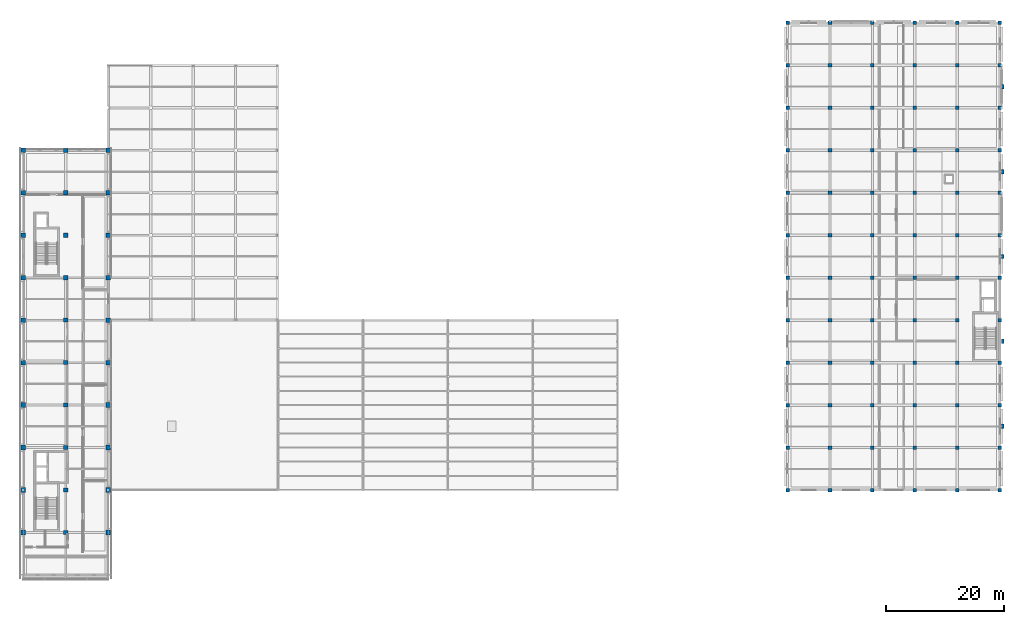
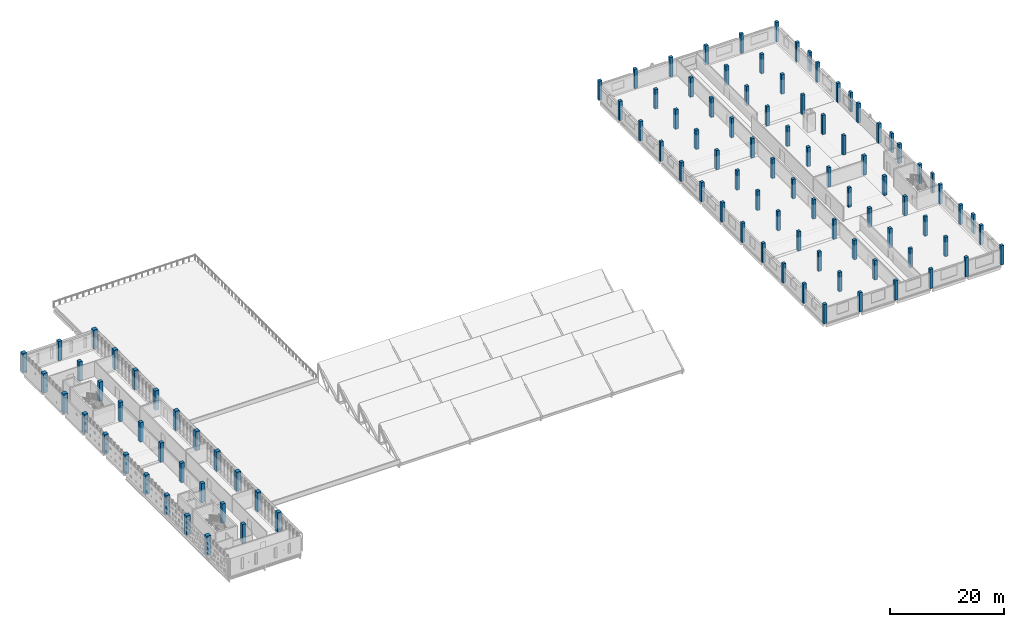
# One storey, part 1 of 51: 107 columns.
"""IFC4 building model written with IfcOpenShell, lengths in metres."""

from ifc_helpers import new_model, si_unit, direction, frame, origin, origin_2d, place, context, subcontext, project, spatial, rectangle, extrude, material, material_profile, profile_set, type_object, element, save


model = new_model("IFC4")

# Units and contexts
model_context = context("Model", 3, precision=1e-05, world=origin(), true_north=direction((0.0, 1.0)))
body_context = subcontext(model_context, "Body", "Model", "MODEL_VIEW")
ifc_project = project(units=[si_unit("LENGTHUNIT", "METRE"), si_unit("AREAUNIT", "SQUARE_METRE"), si_unit("VOLUMEUNIT", "CUBIC_METRE"), si_unit("PLANEANGLEUNIT", "RADIAN"), si_unit("MASSUNIT", "GRAM", prefix="KILO")], contexts=[model_context])

# Site, building, storey
site_placement = place(None, origin())
site = spatial("IfcSite", under=ifc_project, at=site_placement, CompositionType="ELEMENT")
building_placement = place(site_placement, origin())
building = spatial("IfcBuilding", under=site, at=building_placement, Name="Valkovuoma Quantum and Materials Research Institute", CompositionType="ELEMENT")
storey_placement = place(building_placement, frame((0.0, 0.0, 17.280029296875)))
storey = spatial("IfcBuildingStorey", under=building, at=storey_placement, Name="L04", CompositionType="ELEMENT", Elevation=17.280029296875)

# Columns
ifc_material_1 = material(Name="Concrete C40/50", Category="concrete")
ifc_material_profile_1 = material_profile(ifc_material_1, rectangle(XDim=0.449951171875, YDim=0.75, at=origin_2d()), Name="Concrete C40/50")
ifc_profile_set_1 = profile_set([ifc_material_profile_1], Name="Concrete C40/50")
column_type_1 = type_object("IfcColumnType", Name="Col-C-PIL750", PredefinedType="PILASTER", material=ifc_profile_set_1)
for number, where, z_axis, x_axis, name in (
    (1, (166.080078125, 46.800048828125, 0.0), (0.0, 0.0, 1.0), (1.0, 0.0, 0.0), "L04 service spine pilaster 01"),
    (2, (166.080078125, 61.199951171875, 0.0), (0.0, 0.0, 1.0), (1.0, 0.0, 0.0), "L04 service spine pilaster 02"),
    (3, (166.080078125, 75.60009765625, 0.0), (0.0, 0.0, 1.0), (1.0, 0.0, 0.0), "L04 service spine pilaster 03"),
    (4, (166.080078125, 90.0, 0.0), (0.0, 0.0, 1.0), (1.0, 0.0, 0.0), "L04 service spine pilaster 04"),
    (5, (166.080078125, 104.39990234375, 0.0), (0.0, 0.0, 1.0), (1.0, 0.0, 0.0), "L04 service spine pilaster 05"),
):
    element("IfcColumn", number, at=place(storey_placement, frame(where, z_axis=z_axis, x_axis=x_axis)), inside=storey, type_object=column_type_1, Name=name, PredefinedType="PILASTER", context=body_context, shape_type="SweptSolid", body=[
        extrude(rectangle(XDim=0.449951171875, YDim=0.75, at=origin_2d()), origin(), (0.0, 0.0, 1.0), 4.159912109375),
    ])
ifc_material_2 = material(Name="Concrete C40/50", Category="concrete")
ifc_material_profile_2 = material_profile(ifc_material_2, rectangle(XDim=0.60009765625, YDim=0.60009765625, at=origin_2d()), Name="Concrete C40/50")
ifc_profile_set_2 = profile_set([ifc_material_profile_2], Name="Concrete C40/50")
column_type_2 = type_object("IfcColumnType", Name="Col-C-RC600", PredefinedType="COLUMN", material=ifc_profile_set_2)
for number, where, z_axis, x_axis, name in (
    (6, (129.60009765625, 36.0, 0.0), (0.0, 0.0, 1.0), (1.0, 0.0, 0.0), "L04 column 19F"),
    (7, (129.60009765625, 43.199951171875, 0.0), (0.0, 0.0, 1.0), (1.0, 0.0, 0.0), "L04 column 19G"),
    (8, (129.60009765625, 50.39990234375, 0.0), (0.0, 0.0, 1.0), (1.0, 0.0, 0.0), "L04 column 19H"),
    (9, (129.60009765625, 57.60009765625, 0.0), (0.0, 0.0, 1.0), (1.0, 0.0, 0.0), "L04 column 19J"),
    (10, (129.60009765625, 64.800048828125, 0.0), (0.0, 0.0, 1.0), (1.0, 0.0, 0.0), "L04 column 19K"),
    (11, (129.60009765625, 72.0, 0.0), (0.0, 0.0, 1.0), (1.0, 0.0, 0.0), "L04 column 19L"),
    (12, (129.60009765625, 79.199951171875, 0.0), (0.0, 0.0, 1.0), (1.0, 0.0, 0.0), "L04 column 19M"),
    (13, (129.60009765625, 86.39990234375, 0.0), (0.0, 0.0, 1.0), (1.0, 0.0, 0.0), "L04 column 19N"),
    (14, (129.60009765625, 93.60009765625, 0.0), (0.0, 0.0, 1.0), (1.0, 0.0, 0.0), "L04 column 19P"),
    (15, (129.60009765625, 100.800048828125, 0.0), (0.0, 0.0, 1.0), (1.0, 0.0, 0.0), "L04 column 19Q"),
    (16, (129.60009765625, 108.0, 0.0), (0.0, 0.0, 1.0), (1.0, 0.0, 0.0), "L04 column 19R"),
    (17, (129.60009765625, 115.199951171875, 0.0), (0.0, 0.0, 1.0), (1.0, 0.0, 0.0), "L04 column 19S"),
    (18, (136.800048828125, 36.0, 0.0), (0.0, 0.0, 1.0), (1.0, 0.0, 0.0), "L04 column 20F"),
    (19, (136.800048828125, 43.199951171875, 0.0), (0.0, 0.0, 1.0), (1.0, 0.0, 0.0), "L04 column 20G"),
    (20, (136.800048828125, 50.39990234375, 0.0), (0.0, 0.0, 1.0), (1.0, 0.0, 0.0), "L04 column 20H"),
    (21, (136.800048828125, 57.60009765625, 0.0), (0.0, 0.0, 1.0), (1.0, 0.0, 0.0), "L04 column 20J"),
    (22, (136.800048828125, 64.800048828125, 0.0), (0.0, 0.0, 1.0), (1.0, 0.0, 0.0), "L04 column 20K"),
    (23, (136.800048828125, 72.0, 0.0), (0.0, 0.0, 1.0), (1.0, 0.0, 0.0), "L04 column 20L"),
    (24, (136.800048828125, 79.199951171875, 0.0), (0.0, 0.0, 1.0), (1.0, 0.0, 0.0), "L04 column 20M"),
    (25, (136.800048828125, 86.39990234375, 0.0), (0.0, 0.0, 1.0), (1.0, 0.0, 0.0), "L04 column 20N"),
    (26, (136.800048828125, 93.60009765625, 0.0), (0.0, 0.0, 1.0), (1.0, 0.0, 0.0), "L04 column 20P"),
    (27, (136.800048828125, 100.800048828125, 0.0), (0.0, 0.0, 1.0), (1.0, 0.0, 0.0), "L04 column 20Q"),
    (28, (136.800048828125, 108.0, 0.0), (0.0, 0.0, 1.0), (1.0, 0.0, 0.0), "L04 column 20R"),
    (29, (136.800048828125, 115.199951171875, 0.0), (0.0, 0.0, 1.0), (1.0, 0.0, 0.0), "L04 column 20S"),
    (30, (144.0, 36.0, 0.0), (0.0, 0.0, 1.0), (1.0, 0.0, 0.0), "L04 column 21F"),
    (31, (144.0, 43.199951171875, 0.0), (0.0, 0.0, 1.0), (1.0, 0.0, 0.0), "L04 column 21G"),
    (32, (144.0, 50.39990234375, 0.0), (0.0, 0.0, 1.0), (1.0, 0.0, 0.0), "L04 column 21H"),
    (33, (144.0, 57.60009765625, 0.0), (0.0, 0.0, 1.0), (1.0, 0.0, 0.0), "L04 column 21J"),
    (34, (144.0, 64.800048828125, 0.0), (0.0, 0.0, 1.0), (1.0, 0.0, 0.0), "L04 column 21K"),
    (35, (144.0, 72.0, 0.0), (0.0, 0.0, 1.0), (1.0, 0.0, 0.0), "L04 column 21L"),
    (36, (144.0, 79.199951171875, 0.0), (0.0, 0.0, 1.0), (1.0, 0.0, 0.0), "L04 column 21M"),
    (37, (144.0, 86.39990234375, 0.0), (0.0, 0.0, 1.0), (1.0, 0.0, 0.0), "L04 column 21N"),
    (38, (144.0, 93.60009765625, 0.0), (0.0, 0.0, 1.0), (1.0, 0.0, 0.0), "L04 column 21P"),
    (39, (144.0, 100.800048828125, 0.0), (0.0, 0.0, 1.0), (1.0, 0.0, 0.0), "L04 column 21Q"),
    (40, (144.0, 108.0, 0.0), (0.0, 0.0, 1.0), (1.0, 0.0, 0.0), "L04 column 21R"),
    (41, (144.0, 115.199951171875, 0.0), (0.0, 0.0, 1.0), (1.0, 0.0, 0.0), "L04 column 21S"),
    (42, (151.199951171875, 36.0, 0.0), (0.0, 0.0, 1.0), (1.0, 0.0, 0.0), "L04 column 22F"),
    (43, (151.199951171875, 43.199951171875, 0.0), (0.0, 0.0, 1.0), (1.0, 0.0, 0.0), "L04 column 22G"),
    (44, (151.199951171875, 50.39990234375, 0.0), (0.0, 0.0, 1.0), (1.0, 0.0, 0.0), "L04 column 22H"),
    (45, (151.199951171875, 57.60009765625, 0.0), (0.0, 0.0, 1.0), (1.0, 0.0, 0.0), "L04 column 22J"),
    (46, (151.199951171875, 64.800048828125, 0.0), (0.0, 0.0, 1.0), (1.0, 0.0, 0.0), "L04 column 22K"),
    (47, (151.199951171875, 72.0, 0.0), (0.0, 0.0, 1.0), (1.0, 0.0, 0.0), "L04 column 22L"),
    (48, (151.199951171875, 79.199951171875, 0.0), (0.0, 0.0, 1.0), (1.0, 0.0, 0.0), "L04 column 22M"),
    (49, (151.199951171875, 86.39990234375, 0.0), (0.0, 0.0, 1.0), (1.0, 0.0, 0.0), "L04 column 22N"),
    (50, (151.199951171875, 93.60009765625, 0.0), (0.0, 0.0, 1.0), (1.0, 0.0, 0.0), "L04 column 22P"),
    (51, (151.199951171875, 100.800048828125, 0.0), (0.0, 0.0, 1.0), (1.0, 0.0, 0.0), "L04 column 22Q"),
    (52, (151.199951171875, 108.0, 0.0), (0.0, 0.0, 1.0), (1.0, 0.0, 0.0), "L04 column 22R"),
    (53, (151.199951171875, 115.199951171875, 0.0), (0.0, 0.0, 1.0), (1.0, 0.0, 0.0), "L04 column 22S"),
    (54, (158.39990234375, 36.0, 0.0), (0.0, 0.0, 1.0), (1.0, 0.0, 0.0), "L04 column 23F"),
    (55, (158.39990234375, 43.199951171875, 0.0), (0.0, 0.0, 1.0), (1.0, 0.0, 0.0), "L04 column 23G"),
    (56, (158.39990234375, 50.39990234375, 0.0), (0.0, 0.0, 1.0), (1.0, 0.0, 0.0), "L04 column 23H"),
    (57, (158.39990234375, 57.60009765625, 0.0), (0.0, 0.0, 1.0), (1.0, 0.0, 0.0), "L04 column 23J"),
    (58, (158.39990234375, 64.800048828125, 0.0), (0.0, 0.0, 1.0), (1.0, 0.0, 0.0), "L04 column 23K"),
    (59, (158.39990234375, 72.0, 0.0), (0.0, 0.0, 1.0), (1.0, 0.0, 0.0), "L04 column 23L"),
    (60, (158.39990234375, 79.199951171875, 0.0), (0.0, 0.0, 1.0), (1.0, 0.0, 0.0), "L04 column 23M"),
    (61, (158.39990234375, 86.39990234375, 0.0), (0.0, 0.0, 1.0), (1.0, 0.0, 0.0), "L04 column 23N"),
    (62, (158.39990234375, 93.60009765625, 0.0), (0.0, 0.0, 1.0), (1.0, 0.0, 0.0), "L04 column 23P"),
    (63, (158.39990234375, 100.800048828125, 0.0), (0.0, 0.0, 1.0), (1.0, 0.0, 0.0), "L04 column 23Q"),
    (64, (158.39990234375, 108.0, 0.0), (0.0, 0.0, 1.0), (1.0, 0.0, 0.0), "L04 column 23R"),
    (65, (158.39990234375, 115.199951171875, 0.0), (0.0, 0.0, 1.0), (1.0, 0.0, 0.0), "L04 column 23S"),
    (66, (165.60009765625, 36.0, 0.0), (0.0, 0.0, 1.0), (1.0, 0.0, 0.0), "L04 column 24F"),
    (67, (165.60009765625, 43.199951171875, 0.0), (0.0, 0.0, 1.0), (1.0, 0.0, 0.0), "L04 column 24G"),
    (68, (165.60009765625, 50.39990234375, 0.0), (0.0, 0.0, 1.0), (1.0, 0.0, 0.0), "L04 column 24H"),
    (69, (165.60009765625, 57.60009765625, 0.0), (0.0, 0.0, 1.0), (1.0, 0.0, 0.0), "L04 column 24J"),
    (70, (165.60009765625, 64.800048828125, 0.0), (0.0, 0.0, 1.0), (1.0, 0.0, 0.0), "L04 column 24K"),
    (71, (165.60009765625, 72.0, 0.0), (0.0, 0.0, 1.0), (1.0, 0.0, 0.0), "L04 column 24L"),
    (72, (165.60009765625, 79.199951171875, 0.0), (0.0, 0.0, 1.0), (1.0, 0.0, 0.0), "L04 column 24M"),
    (73, (165.60009765625, 86.39990234375, 0.0), (0.0, 0.0, 1.0), (1.0, 0.0, 0.0), "L04 column 24N"),
    (74, (165.60009765625, 93.60009765625, 0.0), (0.0, 0.0, 1.0), (1.0, 0.0, 0.0), "L04 column 24P"),
    (75, (165.60009765625, 100.800048828125, 0.0), (0.0, 0.0, 1.0), (1.0, 0.0, 0.0), "L04 column 24Q"),
    (76, (165.60009765625, 108.0, 0.0), (0.0, 0.0, 1.0), (1.0, 0.0, 0.0), "L04 column 24R"),
    (77, (165.60009765625, 115.199951171875, 0.0), (0.0, 0.0, 1.0), (1.0, 0.0, 0.0), "L04 column 24S"),
):
    element("IfcColumn", number, at=place(storey_placement, frame(where, z_axis=z_axis, x_axis=x_axis)), inside=storey, type_object=column_type_2, Name=name, PredefinedType="COLUMN", context=body_context, shape_type="SweptSolid", body=[
        extrude(rectangle(XDim=0.60009765625, YDim=0.60009765625, at=origin_2d()), origin(), (0.0, 0.0, 1.0), 4.159912109375),
    ])
ifc_material_3 = material(Name="Concrete C40/50", Category="concrete")
ifc_material_profile_3 = material_profile(ifc_material_3, rectangle(XDim=0.699951171875, YDim=0.699951171875, at=origin_2d()), Name="Concrete C40/50")
ifc_profile_set_3 = profile_set([ifc_material_profile_3], Name="Concrete C40/50")
column_type_3 = type_object("IfcColumnType", Name="Col-C-RC700", PredefinedType="COLUMN", material=ifc_profile_set_3)
for number, where, z_axis, x_axis, name in (
    (78, (7.199951171875, 28.800048828125, 0.0), (0.0, 0.0, 1.0), (1.0, 0.0, 0.0), "L04 column 02E"),
    (79, (7.199951171875, 36.0, 0.0), (0.0, 0.0, 1.0), (1.0, 0.0, 0.0), "L04 column 02F"),
    (80, (7.199951171875, 43.199951171875, 0.0), (0.0, 0.0, 1.0), (1.0, 0.0, 0.0), "L04 column 02G"),
    (81, (7.199951171875, 50.39990234375, 0.0), (0.0, 0.0, 1.0), (1.0, 0.0, 0.0), "L04 column 02H"),
    (82, (7.199951171875, 57.60009765625, 0.0), (0.0, 0.0, 1.0), (1.0, 0.0, 0.0), "L04 column 02J"),
    (83, (7.199951171875, 64.800048828125, 0.0), (0.0, 0.0, 1.0), (1.0, 0.0, 0.0), "L04 column 02K"),
    (84, (7.199951171875, 72.0, 0.0), (0.0, 0.0, 1.0), (1.0, 0.0, 0.0), "L04 column 02L"),
    (85, (7.199951171875, 79.199951171875, 0.0), (0.0, 0.0, 1.0), (1.0, 0.0, 0.0), "L04 column 02M"),
    (86, (7.199951171875, 86.39990234375, 0.0), (0.0, 0.0, 1.0), (1.0, 0.0, 0.0), "L04 column 02N"),
    (87, (7.199951171875, 93.60009765625, 0.0), (0.0, 0.0, 1.0), (1.0, 0.0, 0.0), "L04 column 02P"),
):
    element("IfcColumn", number, at=place(storey_placement, frame(where, z_axis=z_axis, x_axis=x_axis)), inside=storey, type_object=column_type_3, Name=name, PredefinedType="COLUMN", context=body_context, shape_type="SweptSolid", body=[
        extrude(rectangle(XDim=0.699951171875, YDim=0.699951171875, at=origin_2d()), origin(), (0.0, 0.0, 1.0), 4.159912109375),
    ])
ifc_material_4 = material(Name="Concrete C50/60", Category="concrete")
ifc_material_profile_4 = material_profile(ifc_material_4, rectangle(XDim=0.800048828125, YDim=0.800048828125, at=origin_2d()), Name="Concrete C50/60")
ifc_profile_set_4 = profile_set([ifc_material_profile_4], Name="Concrete C50/60")
column_type_4 = type_object("IfcColumnType", Name="Col-C-RC800", PredefinedType="COLUMN", material=ifc_profile_set_4)
for number, where, z_axis, x_axis, name in (
    (88, (0.0, 28.800048828125, 0.0), (0.0, 0.0, 1.0), (1.0, 0.0, 0.0), "L04 column 01E"),
    (89, (0.0, 36.0, 0.0), (0.0, 0.0, 1.0), (1.0, 0.0, 0.0), "L04 column 01F"),
    (90, (0.0, 43.199951171875, 0.0), (0.0, 0.0, 1.0), (1.0, 0.0, 0.0), "L04 column 01G"),
    (91, (0.0, 50.39990234375, 0.0), (0.0, 0.0, 1.0), (1.0, 0.0, 0.0), "L04 column 01H"),
    (92, (0.0, 57.60009765625, 0.0), (0.0, 0.0, 1.0), (1.0, 0.0, 0.0), "L04 column 01J"),
    (93, (0.0, 64.800048828125, 0.0), (0.0, 0.0, 1.0), (1.0, 0.0, 0.0), "L04 column 01K"),
    (94, (0.0, 72.0, 0.0), (0.0, 0.0, 1.0), (1.0, 0.0, 0.0), "L04 column 01L"),
    (95, (0.0, 79.199951171875, 0.0), (0.0, 0.0, 1.0), (1.0, 0.0, 0.0), "L04 column 01M"),
    (96, (0.0, 86.39990234375, 0.0), (0.0, 0.0, 1.0), (1.0, 0.0, 0.0), "L04 column 01N"),
    (97, (0.0, 93.60009765625, 0.0), (0.0, 0.0, 1.0), (1.0, 0.0, 0.0), "L04 column 01P"),
    (98, (14.39990234375, 28.800048828125, 0.0), (0.0, 0.0, 1.0), (1.0, 0.0, 0.0), "L04 column 03E"),
    (99, (14.39990234375, 36.0, 0.0), (0.0, 0.0, 1.0), (1.0, 0.0, 0.0), "L04 column 03F"),
    (100, (14.39990234375, 43.199951171875, 0.0), (0.0, 0.0, 1.0), (1.0, 0.0, 0.0), "L04 column 03G"),
    (101, (14.39990234375, 50.39990234375, 0.0), (0.0, 0.0, 1.0), (1.0, 0.0, 0.0), "L04 column 03H"),
    (102, (14.39990234375, 57.60009765625, 0.0), (0.0, 0.0, 1.0), (1.0, 0.0, 0.0), "L04 column 03J"),
    (103, (14.39990234375, 64.800048828125, 0.0), (0.0, 0.0, 1.0), (1.0, 0.0, 0.0), "L04 column 03K"),
    (104, (14.39990234375, 72.0, 0.0), (0.0, 0.0, 1.0), (1.0, 0.0, 0.0), "L04 column 03L"),
    (105, (14.39990234375, 79.199951171875, 0.0), (0.0, 0.0, 1.0), (1.0, 0.0, 0.0), "L04 column 03M"),
    (106, (14.39990234375, 86.39990234375, 0.0), (0.0, 0.0, 1.0), (1.0, 0.0, 0.0), "L04 column 03N"),
    (107, (14.39990234375, 93.60009765625, 0.0), (0.0, 0.0, 1.0), (1.0, 0.0, 0.0), "L04 column 03P"),
):
    element("IfcColumn", number, at=place(storey_placement, frame(where, z_axis=z_axis, x_axis=x_axis)), inside=storey, type_object=column_type_4, Name=name, PredefinedType="COLUMN", context=body_context, shape_type="SweptSolid", body=[
        extrude(rectangle(XDim=0.800048828125, YDim=0.800048828125, at=origin_2d()), origin(), (0.0, 0.0, 1.0), 4.159912109375),
    ])

save(model, "model.ifc")
